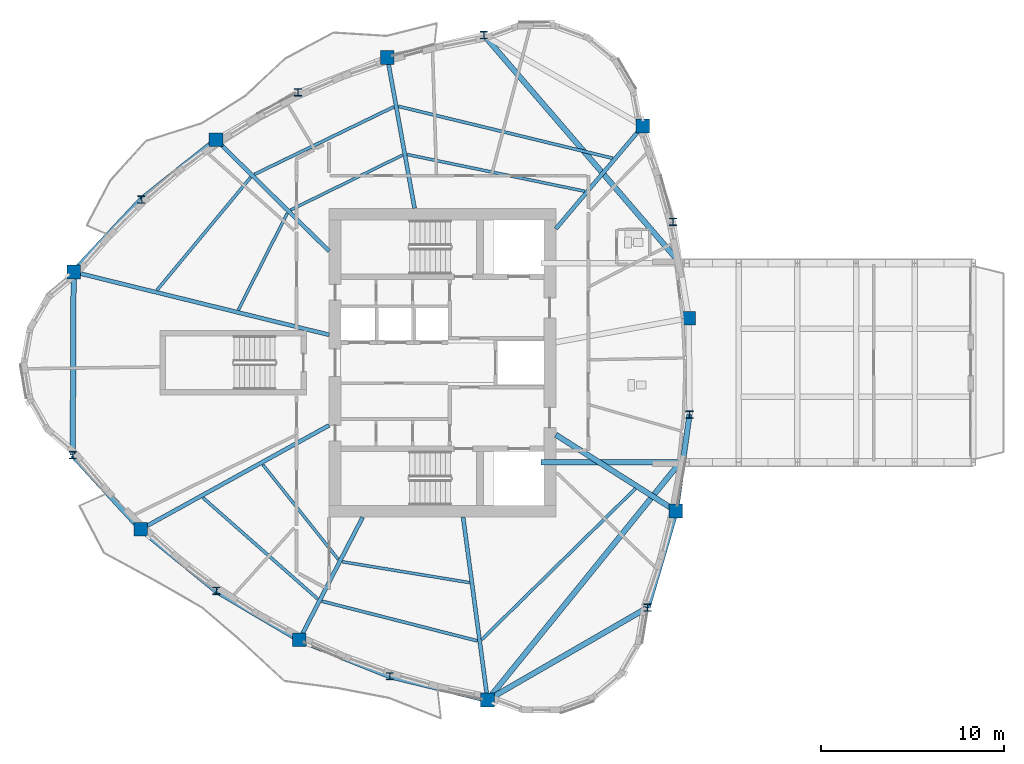
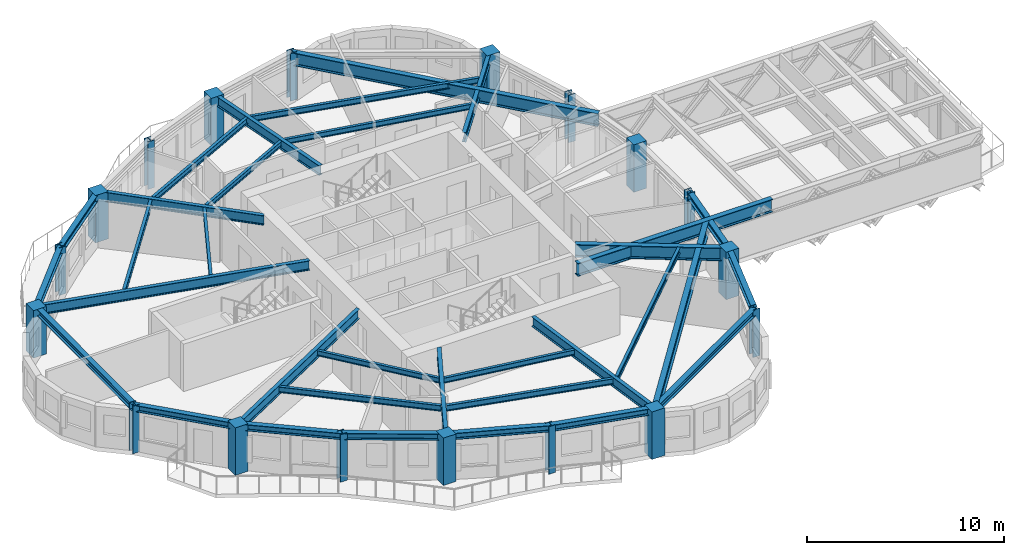
# One storey, part 1 of 13: 33 beams, 18 columns.
"""IFC4 building model written with IfcOpenShell, lengths in metres."""

from ifc_helpers import new_model, si_unit, direction, frame, origin, origin_2d, place, context, subcontext, project, spatial, rectangle, i_section, extrude, source, transform, mapped, material, material_profile, profile_set, type_object, element, save


model = new_model("IFC4")

# Units and contexts
model_context = context("Model", 3, precision=1e-05, world=origin(), true_north=direction((0.0, 1.0)))
body_context = subcontext(model_context, "Body", "Model", "MODEL_VIEW")
ifc_project = project(units=[si_unit("LENGTHUNIT", "METRE"), si_unit("AREAUNIT", "SQUARE_METRE"), si_unit("VOLUMEUNIT", "CUBIC_METRE"), si_unit("PLANEANGLEUNIT", "RADIAN"), si_unit("MASSUNIT", "GRAM", prefix="KILO")], contexts=[model_context])

# Site, building, storey
site_placement = place(None, origin())
site = spatial("IfcSite", under=ifc_project, at=site_placement, CompositionType="ELEMENT")
building_placement = place(site_placement, origin())
building = spatial("IfcBuilding", under=site, at=building_placement, Name="Qafzar Sky-Pleat Residences", CompositionType="ELEMENT")
storey_placement = place(building_placement, frame((0.0, 0.0, 155.39990234375)))
storey = spatial("IfcBuildingStorey", under=building, at=storey_placement, Name="L46", CompositionType="ELEMENT", Elevation=155.39990234375)

# Columns
ifc_material_1 = material(Name="Concrete C60/75", Category="concrete")
ifc_material_profile_1 = material_profile(ifc_material_1, rectangle(XDim=0.75, YDim=0.75, at=origin_2d()), Name="RC 750x750")
ifc_profile_set_1 = profile_set([ifc_material_profile_1], Name="Concrete C60/75")
column_type_1 = type_object("IfcColumnType", Name="COL-RC-750", PredefinedType="COLUMN", material=ifc_profile_set_1)
shared_shape_1 = source(origin(), body_context, "Body", "SweptSolid", [
    extrude(rectangle(XDim=0.75, YDim=0.75, at=origin_2d()), origin(), (0.0, 0.0, 1.0), 2.93505859375),
])
for number, where, z_axis, x_axis, name in (
    (1, (10.173583984375, 30.96728515625, 0.0), (0.0, 0.0, 1.0), (1.0, 0.0, 0.0), "L46 Perimeter Mega Column 1"),
    (2, (13.849365234375, 16.890869140625, 0.0), (0.0, 0.0, 1.0), (1.0, 0.0, 0.0), "L46 Perimeter Mega Column 3"),
    (3, (22.51904296875, 10.843017578125, 0.0), (0.0, 0.0, 1.0), (1.0, 0.0, 0.0), "L46 Perimeter Mega Column 5"),
    (4, (32.817626953125, 7.55419921875, 0.0), (0.0, 0.0, 1.0), (1.0, 0.0, 0.0), "L46 Perimeter Mega Column 7"),
    (5, (43.11669921875, 17.890380859375, 0.0), (0.0, 0.0, 1.0), (1.0, 0.0, 0.0), "L46 Perimeter Mega Column 9"),
    (6, (43.81591796875, 28.43798828125, 0.0), (0.0, 0.0, 1.0), (1.0, 0.0, 0.0), "L46 Perimeter Mega Column 11"),
    (7, (41.31103515625, 38.954833984375, 0.0), (0.0, 0.0, 1.0), (1.0, 0.0, 0.0), "L46 Perimeter Mega Column 13"),
    (8, (27.336181640625, 42.695068359375, 0.0), (0.0, 0.0, 1.0), (1.0, 0.0, 0.0), "L46 Perimeter Mega Column 15"),
    (9, (17.96728515625, 38.1953125, 0.0), (0.0, 0.0, 1.0), (1.0, 0.0, 0.0), "L46 Perimeter Mega Column 17"),
):
    element("IfcColumn", number, at=place(storey_placement, frame(where, z_axis=z_axis, x_axis=x_axis)), inside=storey, type_object=column_type_1, Name=name, PredefinedType="COLUMN", context=body_context, shape_type="MappedRepresentation", body=[
        mapped(shared_shape_1, transform((0.0, 0.0, 0.0), x_axis=(1.0, 0.0, 0.0), y_axis=(0.0, 1.0, 0.0), z_axis=(0.0, 0.0, 1.0), scale=1.0)),
    ])
ifc_material_2 = material(Name="Steel S355", Category="steel")
ifc_material_profile_2 = material_profile(ifc_material_2, i_section(OverallWidth=0.40087890625, OverallDepth=0.39892578125, WebThickness=0.02294921875, FlangeThickness=0.035888671875, FilletRadius=0.014892578125, at=origin_2d()), Name="HD 400x314")
ifc_profile_set_2 = profile_set([ifc_material_profile_2], Name="Steel S355")
column_type_2 = type_object("IfcColumnType", Name="COL-STL-HD314", PredefinedType="PILASTER", material=ifc_profile_set_2)
shared_shape_2 = source(origin(), body_context, "Body", "SweptSolid", [
    extrude(i_section(OverallWidth=0.40087890625, OverallDepth=0.39892578125, WebThickness=0.02294921875, FlangeThickness=0.035888671875, FilletRadius=0.014892578125, at=origin_2d()), origin(), (0.0, 0.0, 1.0), 2.93505859375),
])
for number, where, z_axis, x_axis, name in (
    (10, (10.125244140625, 20.94970703125, 0.0), (0.0, 0.0, 1.0), (1.0, 0.0, 0.0), "L46 Perimeter Mega Column 2"),
    (11, (17.98046875, 13.52197265625, 0.0), (0.0, 0.0, 1.0), (1.0, 0.0, 0.0), "L46 Perimeter Mega Column 4"),
    (12, (27.464599609375, 8.853759765625, 0.0), (0.0, 0.0, 1.0), (1.0, 0.0, 0.0), "L46 Perimeter Mega Column 6"),
    (13, (41.565673828125, 12.60498046875, 0.0), (0.0, 0.0, 1.0), (1.0, 0.0, 0.0), "L46 Perimeter Mega Column 8"),
    (14, (43.866943359375, 23.168212890625, 0.0), (0.0, 0.0, 1.0), (1.0, 0.0, 0.0), "L46 Perimeter Mega Column 10"),
    (15, (42.964111328125, 33.7001953125, 0.0), (0.0, 0.0, 1.0), (1.0, 0.0, 0.0), "L46 Perimeter Mega Column 12"),
    (16, (32.611328125, 43.921630859375, 0.0), (0.0, 0.0, 1.0), (1.0, 0.0, 0.0), "L46 Perimeter Mega Column 14"),
    (17, (22.454833984375, 40.786376953125, 0.0), (0.0, 0.0, 1.0), (1.0, 0.0, 0.0), "L46 Perimeter Mega Column 16"),
    (18, (13.87353515625, 34.92236328125, 0.0), (0.0, 0.0, 1.0), (1.0, 0.0, 0.0), "L46 Perimeter Mega Column 18"),
):
    element("IfcColumn", number, at=place(storey_placement, frame(where, z_axis=z_axis, x_axis=x_axis)), inside=storey, type_object=column_type_2, Name=name, PredefinedType="PILASTER", context=body_context, shape_type="MappedRepresentation", body=[
        mapped(shared_shape_2, transform((0.0, 0.0, 0.0), x_axis=(1.0, 0.0, 0.0), y_axis=(0.0, 1.0, 0.0), z_axis=(0.0, 0.0, 1.0), scale=1.0)),
    ])

# Beams
ifc_material_profile_3 = material_profile(ifc_material_2, i_section(OverallWidth=0.300048828125, OverallDepth=0.39990234375, WebThickness=0.013427734375, FlangeThickness=0.02392578125, FilletRadius=0.027099609375, at=origin_2d()), Name="HEB 400")
ifc_profile_set_3 = profile_set([ifc_material_profile_3], Name="Steel S355")
beam_type_1 = type_object("IfcBeamType", Name="BM-SPAN-HEB400", PredefinedType="SPANDREL", material=ifc_profile_set_3)
shared_shape_3 = source(origin(), body_context, "Body", "SweptSolid", [
    extrude(i_section(OverallWidth=0.300048828125, OverallDepth=0.39990234375, WebThickness=0.013427734375, FlangeThickness=0.02392578125, FilletRadius=0.027099609375, at=origin_2d()), origin(), (0.0, 0.0, 1.0), 10.017578125),
])
beam_1_placement = place(storey_placement, frame((10.173583984375, 30.96728515625, 2.733154296875), z_axis=(-0.004825445866, -0.999988357468, 0.0), x_axis=(0.999988357468, -0.004825445866, 0.0)))
element("IfcBeam", 19, at=beam_1_placement, inside=storey, type_object=beam_type_1, Name="L46 Perimeter Spandrel Beam 1", PredefinedType="SPANDREL", context=body_context, shape_type="MappedRepresentation", body=[
    mapped(shared_shape_3, transform((0.0, 0.0, 0.0), x_axis=(1.0, 0.0, 0.0), y_axis=(0.0, 1.0, 0.0), z_axis=(0.0, 0.0, 1.0), scale=1.0)),
])
shared_shape_4 = source(origin(), body_context, "Body", "SweptSolid", [
    extrude(i_section(OverallWidth=0.300048828125, OverallDepth=0.39990234375, WebThickness=0.013427734375, FlangeThickness=0.02392578125, FilletRadius=0.027099609375, at=origin_2d()), origin(), (0.0, 0.0, 1.0), 10.101318359375),
])
beam_2_placement = place(storey_placement, frame((32.817626953125, 7.55419921875, 2.733154296875), z_axis=(0.86602137294, 0.500006981563, 0.0), x_axis=(-0.500006981563, 0.86602137294, 0.0)))
element("IfcBeam", 20, at=beam_2_placement, inside=storey, type_object=beam_type_1, Name="L46 Perimeter Spandrel Beam 7", PredefinedType="SPANDREL", context=body_context, shape_type="MappedRepresentation", body=[
    mapped(shared_shape_4, transform((0.0, 0.0, 0.0), x_axis=(1.0, 0.0, 0.0), y_axis=(0.0, 1.0, 0.0), z_axis=(0.0, 0.0, 1.0), scale=1.0)),
])
shared_shape_5 = source(origin(), body_context, "Body", "SweptSolid", [
    extrude(i_section(OverallWidth=0.300048828125, OverallDepth=0.39990234375, WebThickness=0.013427734375, FlangeThickness=0.02392578125, FilletRadius=0.027099609375, at=origin_2d()), origin(), (0.0, 0.0, 1.0), 5.508544921875),
])
for number, where, z_axis, x_axis, name in (
    (21, (10.125244140625, 20.94970703125, 2.733154296875), (0.676071762207, -0.73683578384, 0.0), (0.73683578384, 0.676071762207, 0.0), "L46 Perimeter Spandrel Beam 2"),
    (22, (27.464599609375, 8.853759765625, 2.733154296875), (0.971772867316, -0.235918406126, 0.0), (0.235918406126, 0.971772867316, 0.0), "L46 Perimeter Spandrel Beam 6"),
):
    element("IfcBeam", number, at=place(storey_placement, frame(where, z_axis=z_axis, x_axis=x_axis)), inside=storey, type_object=beam_type_1, Name=name, PredefinedType="SPANDREL", context=body_context, shape_type="MappedRepresentation", body=[
        mapped(shared_shape_5, transform((0.0, 0.0, 0.0), x_axis=(1.0, 0.0, 0.0), y_axis=(0.0, 1.0, 0.0), z_axis=(0.0, 0.0, 1.0), scale=1.0)),
    ])
shared_shape_6 = source(origin(), body_context, "Body", "SweptSolid", [
    extrude(i_section(OverallWidth=0.300048828125, OverallDepth=0.39990234375, WebThickness=0.013427734375, FlangeThickness=0.02392578125, FilletRadius=0.027099609375, at=origin_2d()), origin(), (0.0, 0.0, 1.0), 5.33056640625),
])
for number, where, z_axis, x_axis, name in (
    (23, (13.849365234375, 16.890869140625, 2.733154296875), (0.774976584749, -0.631989946986, 0.0), (0.631989946986, 0.774976584749, 0.0), "L46 Perimeter Spandrel Beam 3"),
    (24, (22.51904296875, 10.843017578125, 2.733154296875), (0.92776113482, -0.373174592808, 0.0), (0.373174592808, 0.92776113482, 0.0), "L46 Perimeter Spandrel Beam 5"),
):
    element("IfcBeam", number, at=place(storey_placement, frame(where, z_axis=z_axis, x_axis=x_axis)), inside=storey, type_object=beam_type_1, Name=name, PredefinedType="SPANDREL", context=body_context, shape_type="MappedRepresentation", body=[
        mapped(shared_shape_6, transform((0.0, 0.0, 0.0), x_axis=(1.0, 0.0, 0.0), y_axis=(0.0, 1.0, 0.0), z_axis=(0.0, 0.0, 1.0), scale=1.0)),
    ])
shared_shape_7 = source(origin(), body_context, "Body", "SweptSolid", [
    extrude(i_section(OverallWidth=0.300048828125, OverallDepth=0.39990234375, WebThickness=0.013427734375, FlangeThickness=0.02392578125, FilletRadius=0.027099609375, at=origin_2d()), origin(), (0.0, 0.0, 1.0), 5.270263671875),
])
beam_3_placement = place(storey_placement, frame((17.98046875, 13.52197265625, 2.733154296875), z_axis=(0.861169898552, -0.508317229522, 0.0), x_axis=(0.508317229522, 0.861169898552, 0.0)))
element("IfcBeam", 25, at=beam_3_placement, inside=storey, type_object=beam_type_1, Name="L46 Perimeter Spandrel Beam 4", PredefinedType="SPANDREL", context=body_context, shape_type="MappedRepresentation", body=[
    mapped(shared_shape_7, transform((0.0, 0.0, 0.0), x_axis=(1.0, 0.0, 0.0), y_axis=(0.0, 1.0, 0.0), z_axis=(0.0, 0.0, 1.0), scale=1.0)),
])
shared_shape_8 = source(origin(), body_context, "Body", "SweptSolid", [
    extrude(i_section(OverallWidth=0.300048828125, OverallDepth=0.39990234375, WebThickness=0.013427734375, FlangeThickness=0.02392578125, FilletRadius=0.027099609375, at=origin_2d()), origin(), (0.0, 0.0, 1.0), 5.50830078125),
])
beam_4_placement = place(storey_placement, frame((41.565673828125, 12.60498046875, 2.733154296875), z_axis=(0.281580762913, 0.959537531292, 0.0), x_axis=(-0.959537531292, 0.281580762913, 0.0)))
element("IfcBeam", 26, at=beam_4_placement, inside=storey, type_object=beam_type_1, Name="L46 Perimeter Spandrel Beam 8", PredefinedType="SPANDREL", context=body_context, shape_type="MappedRepresentation", body=[
    mapped(shared_shape_8, transform((0.0, 0.0, 0.0), x_axis=(1.0, 0.0, 0.0), y_axis=(0.0, 1.0, 0.0), z_axis=(0.0, 0.0, 1.0), scale=1.0)),
])
shared_shape_9 = source(origin(), body_context, "Body", "SweptSolid", [
    extrude(i_section(OverallWidth=0.300048828125, OverallDepth=0.39990234375, WebThickness=0.013427734375, FlangeThickness=0.02392578125, FilletRadius=0.027099609375, at=origin_2d()), origin(), (0.0, 0.0, 1.0), 5.330810546875),
])
beam_5_placement = place(storey_placement, frame((43.11669921875, 17.890380859375, 2.733154296875), z_axis=(0.140735277871, 0.990047262287, 0.0), x_axis=(-0.990047262287, 0.140735277871, 0.0)))
element("IfcBeam", 27, at=beam_5_placement, inside=storey, type_object=beam_type_1, Name="L46 Perimeter Spandrel Beam 9", PredefinedType="SPANDREL", context=body_context, shape_type="MappedRepresentation", body=[
    mapped(shared_shape_9, transform((0.0, 0.0, 0.0), x_axis=(1.0, 0.0, 0.0), y_axis=(0.0, 1.0, 0.0), z_axis=(0.0, 0.0, 1.0), scale=1.0)),
])
shared_shape_10 = source(origin(), body_context, "Body", "SweptSolid", [
    extrude(i_section(OverallWidth=0.300048828125, OverallDepth=0.39990234375, WebThickness=0.013427734375, FlangeThickness=0.02392578125, FilletRadius=0.027099609375, at=origin_2d()), origin(), (0.0, 0.0, 1.0), 5.2412109375),
])
beam_6_placement = place(storey_placement, frame((17.96728515625, 38.1953125, 2.733154296875), z_axis=(-0.781059638901, -0.624456436015, 0.0), x_axis=(0.624456436015, -0.781059638901, 0.0)))
element("IfcBeam", 28, at=beam_6_placement, inside=storey, type_object=beam_type_1, Name="L46 Perimeter Spandrel Beam 17", PredefinedType="SPANDREL", context=body_context, shape_type="MappedRepresentation", body=[
    mapped(shared_shape_10, transform((0.0, 0.0, 0.0), x_axis=(1.0, 0.0, 0.0), y_axis=(0.0, 1.0, 0.0), z_axis=(0.0, 0.0, 1.0), scale=1.0)),
])
shared_shape_11 = source(origin(), body_context, "Body", "SweptSolid", [
    extrude(i_section(OverallWidth=0.300048828125, OverallDepth=0.39990234375, WebThickness=0.013427734375, FlangeThickness=0.02392578125, FilletRadius=0.027099609375, at=origin_2d()), origin(), (0.0, 0.0, 1.0), 5.416015625),
])
beam_7_placement = place(storey_placement, frame((13.87353515625, 34.92236328125, 2.733154296875), z_axis=(-0.683161006197, -0.730267786235, 0.0), x_axis=(0.730267786235, -0.683161006197, 0.0)))
element("IfcBeam", 29, at=beam_7_placement, inside=storey, type_object=beam_type_1, Name="L46 Perimeter Spandrel Beam 18", PredefinedType="SPANDREL", context=body_context, shape_type="MappedRepresentation", body=[
    mapped(shared_shape_11, transform((0.0, 0.0, 0.0), x_axis=(1.0, 0.0, 0.0), y_axis=(0.0, 1.0, 0.0), z_axis=(0.0, 0.0, 1.0), scale=1.0)),
])
ifc_material_profile_4 = material_profile(ifc_material_2, i_section(OverallWidth=0.219970703125, OverallDepth=0.60009765625, WebThickness=0.011962890625, FlangeThickness=0.01904296875, FilletRadius=0.02392578125, at=origin_2d()), Name="IPE 600")
ifc_profile_set_4 = profile_set([ifc_material_profile_4], Name="Steel S355")
beam_type_2 = type_object("IfcBeamType", Name="BM-SEC-IPE600", PredefinedType="BEAM", material=ifc_profile_set_4)
shared_shape_12 = source(origin(), body_context, "Body", "SweptSolid", [
    extrude(i_section(OverallWidth=0.219970703125, OverallDepth=0.60009765625, WebThickness=0.011962890625, FlangeThickness=0.01904296875, FilletRadius=0.02392578125, at=origin_2d()), origin(), (0.0, 0.0, 1.0), 14.3935546875),
])
beam_8_placement = place(storey_placement, frame((10.173583984375, 30.96728515625, 2.633056640625), z_axis=(0.971005309059, -0.239057921391, 0.0), x_axis=(0.239057921391, 0.971005309059, 0.0)))
element("IfcBeam", 30, at=beam_8_placement, inside=storey, type_object=beam_type_2, Name="L46 Radial Floor Girder 1", PredefinedType="BEAM", context=body_context, shape_type="MappedRepresentation", body=[
    mapped(shared_shape_12, transform((0.0, 0.0, 0.0), x_axis=(1.0, 0.0, 0.0), y_axis=(0.0, 1.0, 0.0), z_axis=(0.0, 0.0, 1.0), scale=1.0)),
])
shared_shape_13 = source(origin(), body_context, "Body", "SweptSolid", [
    extrude(i_section(OverallWidth=0.219970703125, OverallDepth=0.60009765625, WebThickness=0.011962890625, FlangeThickness=0.01904296875, FilletRadius=0.02392578125, at=origin_2d()), origin(), (0.0, 0.0, 1.0), 11.765869140625),
])
beam_9_placement = place(storey_placement, frame((13.849365234375, 16.890869140625, 2.633056640625), z_axis=(0.875452967173, 0.483303323254, 0.0), x_axis=(-0.483303323254, 0.875452967173, 0.0)))
element("IfcBeam", 31, at=beam_9_placement, inside=storey, type_object=beam_type_2, Name="L46 Radial Floor Girder 3", PredefinedType="BEAM", context=body_context, shape_type="MappedRepresentation", body=[
    mapped(shared_shape_13, transform((0.0, 0.0, 0.0), x_axis=(1.0, 0.0, 0.0), y_axis=(0.0, 1.0, 0.0), z_axis=(0.0, 0.0, 1.0), scale=1.0)),
])
shared_shape_14 = source(origin(), body_context, "Body", "SweptSolid", [
    extrude(i_section(OverallWidth=0.219970703125, OverallDepth=0.60009765625, WebThickness=0.011962890625, FlangeThickness=0.01904296875, FilletRadius=0.02392578125, at=origin_2d()), origin(), (0.0, 0.0, 1.0), 7.54931640625),
])
beam_10_placement = place(storey_placement, frame((22.51904296875, 10.843017578125, 2.633056640625), z_axis=(0.459023455259, 0.888424148435, 0.0), x_axis=(-0.888424148435, 0.459023455259, 0.0)))
element("IfcBeam", 32, at=beam_10_placement, inside=storey, type_object=beam_type_2, Name="L46 Radial Floor Girder 5", PredefinedType="BEAM", context=body_context, shape_type="MappedRepresentation", body=[
    mapped(shared_shape_14, transform((0.0, 0.0, 0.0), x_axis=(1.0, 0.0, 0.0), y_axis=(0.0, 1.0, 0.0), z_axis=(0.0, 0.0, 1.0), scale=1.0)),
])
shared_shape_15 = source(origin(), body_context, "Body", "SweptSolid", [
    extrude(i_section(OverallWidth=0.219970703125, OverallDepth=0.60009765625, WebThickness=0.011962890625, FlangeThickness=0.01904296875, FilletRadius=0.02392578125, at=origin_2d()), origin(), (0.0, 0.0, 1.0), 10.0849609375),
])
beam_11_placement = place(storey_placement, frame((32.817626953125, 7.55419921875, 2.633056640625), z_axis=(-0.132590264736, 0.991170934651, 0.0), x_axis=(-0.991170934651, -0.132590264736, 0.0)))
element("IfcBeam", 33, at=beam_11_placement, inside=storey, type_object=beam_type_2, Name="L46 Radial Floor Girder 7", PredefinedType="BEAM", context=body_context, shape_type="MappedRepresentation", body=[
    mapped(shared_shape_15, transform((0.0, 0.0, 0.0), x_axis=(1.0, 0.0, 0.0), y_axis=(0.0, 1.0, 0.0), z_axis=(0.0, 0.0, 1.0), scale=1.0)),
])
ifc_material_3 = material(Name="Steel S460", Category="steel")
ifc_material_profile_5 = material_profile(ifc_material_3, i_section(OverallWidth=0.300048828125, OverallDepth=0.800048828125, WebThickness=0.017578125, FlangeThickness=0.032958984375, FilletRadius=0.030029296875, at=origin_2d()), Name="HEB 800")
ifc_profile_set_5 = profile_set([ifc_material_profile_5], Name="Steel S460")
beam_type_3 = type_object("IfcBeamType", Name="BM-CHORD-HEB800", PredefinedType="BEAM", material=ifc_profile_set_5)
shared_shape_16 = source(origin(), body_context, "Body", "SweptSolid", [
    extrude(i_section(OverallWidth=0.300048828125, OverallDepth=0.800048828125, WebThickness=0.017578125, FlangeThickness=0.032958984375, FilletRadius=0.030029296875, at=origin_2d()), origin(), (0.0, 0.0, 1.0), 7.779541015625),
])
beam_12_placement = place(storey_placement, frame((43.11669921875, 17.890380859375, 2.533203125), z_axis=(-0.844091524376, 0.536199122039, 0.0), x_axis=(-0.536199122039, -0.844091524376, 0.0)))
element("IfcBeam", 34, at=beam_12_placement, inside=storey, type_object=beam_type_3, Name="L46 Radial Floor Girder 9", PredefinedType="BEAM", context=body_context, shape_type="MappedRepresentation", body=[
    mapped(shared_shape_16, transform((0.0, 0.0, 0.0), x_axis=(1.0, 0.0, 0.0), y_axis=(0.0, 1.0, 0.0), z_axis=(0.0, 0.0, 1.0), scale=1.0)),
])
shared_shape_17 = source(origin(), body_context, "Body", "SweptSolid", [
    extrude(i_section(OverallWidth=0.219970703125, OverallDepth=0.60009765625, WebThickness=0.011962890625, FlangeThickness=0.01904296875, FilletRadius=0.02392578125, at=origin_2d()), origin(), (0.0, 0.0, 1.0), 7.370849609375),
])
beam_13_placement = place(storey_placement, frame((41.31103515625, 38.954833984375, 2.633056640625), z_axis=(-0.645919969231, -0.763405130549, 0.0), x_axis=(0.763405130549, -0.645919969231, 0.0)))
element("IfcBeam", 35, at=beam_13_placement, inside=storey, type_object=beam_type_2, Name="L46 Radial Floor Girder 13", PredefinedType="BEAM", context=body_context, shape_type="MappedRepresentation", body=[
    mapped(shared_shape_17, transform((0.0, 0.0, 0.0), x_axis=(1.0, 0.0, 0.0), y_axis=(0.0, 1.0, 0.0), z_axis=(0.0, 0.0, 1.0), scale=1.0)),
])
shared_shape_18 = source(origin(), body_context, "Body", "SweptSolid", [
    extrude(i_section(OverallWidth=0.219970703125, OverallDepth=0.60009765625, WebThickness=0.011962890625, FlangeThickness=0.01904296875, FilletRadius=0.02392578125, at=origin_2d()), origin(), (0.0, 0.0, 1.0), 8.37841796875),
])
beam_14_placement = place(storey_placement, frame((27.336181640625, 42.695068359375, 2.633056640625), z_axis=(0.177633930077, -0.984096634933, 0.0), x_axis=(0.984096634933, 0.177633930077, 0.0)))
element("IfcBeam", 36, at=beam_14_placement, inside=storey, type_object=beam_type_2, Name="L46 Radial Floor Girder 15", PredefinedType="BEAM", context=body_context, shape_type="MappedRepresentation", body=[
    mapped(shared_shape_18, transform((0.0, 0.0, 0.0), x_axis=(1.0, 0.0, 0.0), y_axis=(0.0, 1.0, 0.0), z_axis=(0.0, 0.0, 1.0), scale=1.0)),
])
shared_shape_19 = source(origin(), body_context, "Body", "SweptSolid", [
    extrude(i_section(OverallWidth=0.219970703125, OverallDepth=0.60009765625, WebThickness=0.011962890625, FlangeThickness=0.01904296875, FilletRadius=0.02392578125, at=origin_2d()), origin(), (0.0, 0.0, 1.0), 8.677734375),
])
beam_15_placement = place(storey_placement, frame((17.96728515625, 38.1953125, 2.633056640625), z_axis=(0.712473981053, -0.701698529515, 0.0), x_axis=(0.701698529515, 0.712473981053, 0.0)))
element("IfcBeam", 37, at=beam_15_placement, inside=storey, type_object=beam_type_2, Name="L46 Radial Floor Girder 17", PredefinedType="BEAM", context=body_context, shape_type="MappedRepresentation", body=[
    mapped(shared_shape_19, transform((0.0, 0.0, 0.0), x_axis=(1.0, 0.0, 0.0), y_axis=(0.0, 1.0, 0.0), z_axis=(0.0, 0.0, 1.0), scale=1.0)),
])
ifc_material_profile_6 = material_profile(ifc_material_2, i_section(OverallWidth=0.169921875, OverallDepth=0.360107421875, WebThickness=0.008056640625, FlangeThickness=0.0126953125, FilletRadius=0.01806640625, at=origin_2d()), Name="IPE 360")
ifc_profile_set_6 = profile_set([ifc_material_profile_6], Name="Steel S355")
beam_type_4 = type_object("IfcBeamType", Name="BM-JST-IPE360", PredefinedType="JOIST", material=ifc_profile_set_6)
shared_shape_20 = source(origin(), body_context, "Body", "SweptSolid", [
    extrude(i_section(OverallWidth=0.169921875, OverallDepth=0.360107421875, WebThickness=0.008056640625, FlangeThickness=0.0126953125, FilletRadius=0.01806640625, at=origin_2d()), origin(), (0.0, 0.0, 1.0), 8.3759765625),
])
beam_16_placement = place(storey_placement, frame((17.24658203125, 18.62109375, 2.753173828125), z_axis=(0.749762146245, -0.661707430862, 0.0), x_axis=(0.661707430862, 0.749762146245, 0.0)))
element("IfcBeam", 38, at=beam_16_placement, inside=storey, type_object=beam_type_4, Name="L46 Outer Secondary Floor Joist 2", PredefinedType="JOIST", context=body_context, shape_type="MappedRepresentation", body=[
    mapped(shared_shape_20, transform((0.0, 0.0, 0.0), x_axis=(1.0, 0.0, 0.0), y_axis=(0.0, 1.0, 0.0), z_axis=(0.0, 0.0, 1.0), scale=1.0)),
])
shared_shape_21 = source(origin(), body_context, "Body", "SweptSolid", [
    extrude(i_section(OverallWidth=0.169921875, OverallDepth=0.360107421875, WebThickness=0.008056640625, FlangeThickness=0.0126953125, FilletRadius=0.01806640625, at=origin_2d()), origin(), (0.0, 0.0, 1.0), 8.7724609375),
])
beam_17_placement = place(storey_placement, frame((23.7587890625, 12.955810546875, 2.753173828125), z_axis=(0.968938996668, -0.247299859961, 0.0), x_axis=(0.247299859961, 0.968938996668, 0.0)))
element("IfcBeam", 39, at=beam_17_placement, inside=storey, type_object=beam_type_4, Name="L46 Outer Secondary Floor Joist 3", PredefinedType="JOIST", context=body_context, shape_type="MappedRepresentation", body=[
    mapped(shared_shape_21, transform((0.0, 0.0, 0.0), x_axis=(1.0, 0.0, 0.0), y_axis=(0.0, 1.0, 0.0), z_axis=(0.0, 0.0, 1.0), scale=1.0)),
])
shared_shape_22 = source(origin(), body_context, "Body", "SweptSolid", [
    extrude(i_section(OverallWidth=0.169921875, OverallDepth=0.360107421875, WebThickness=0.008056640625, FlangeThickness=0.0126953125, FilletRadius=0.01806640625, at=origin_2d()), origin(), (0.0, 0.0, 1.0), 11.82080078125),
])
beam_18_placement = place(storey_placement, frame((32.486083984375, 10.847412109375, 2.753173828125), z_axis=(0.713419028296, 0.700737675642, 0.0), x_axis=(-0.700737675642, 0.713419028296, 0.0)))
element("IfcBeam", 40, at=beam_18_placement, inside=storey, type_object=beam_type_4, Name="L46 Outer Secondary Floor Joist 4", PredefinedType="JOIST", context=body_context, shape_type="MappedRepresentation", body=[
    mapped(shared_shape_22, transform((0.0, 0.0, 0.0), x_axis=(1.0, 0.0, 0.0), y_axis=(0.0, 1.0, 0.0), z_axis=(0.0, 0.0, 1.0), scale=1.0)),
])
shared_shape_23 = source(origin(), body_context, "Body", "SweptSolid", [
    extrude(i_section(OverallWidth=0.169921875, OverallDepth=0.360107421875, WebThickness=0.008056640625, FlangeThickness=0.0126953125, FilletRadius=0.01806640625, at=origin_2d()), origin(), (0.0, 0.0, 1.0), 12.0517578125),
])
beam_19_placement = place(storey_placement, frame((39.65625, 37.18603515625, 2.753173828125), z_axis=(-0.971860786955, 0.235555961036, 0.0), x_axis=(-0.235555961036, -0.971860786955, 0.0)))
element("IfcBeam", 41, at=beam_19_placement, inside=storey, type_object=beam_type_4, Name="L46 Outer Secondary Floor Joist 7", PredefinedType="JOIST", context=body_context, shape_type="MappedRepresentation", body=[
    mapped(shared_shape_23, transform((0.0, 0.0, 0.0), x_axis=(1.0, 0.0, 0.0), y_axis=(0.0, 1.0, 0.0), z_axis=(0.0, 0.0, 1.0), scale=1.0)),
])
shared_shape_24 = source(origin(), body_context, "Body", "SweptSolid", [
    extrude(i_section(OverallWidth=0.169921875, OverallDepth=0.360107421875, WebThickness=0.008056640625, FlangeThickness=0.0126953125, FilletRadius=0.01806640625, at=origin_2d()), origin(), (0.0, 0.0, 1.0), 8.470458984375),
])
beam_20_placement = place(storey_placement, frame((27.69091796875, 39.997802734375, 2.753173828125), z_axis=(-0.900004998157, -0.435879574301, 0.0), x_axis=(0.435879574301, -0.900004998157, 0.0)))
element("IfcBeam", 42, at=beam_20_placement, inside=storey, type_object=beam_type_4, Name="L46 Outer Secondary Floor Joist 8", PredefinedType="JOIST", context=body_context, shape_type="MappedRepresentation", body=[
    mapped(shared_shape_24, transform((0.0, 0.0, 0.0), x_axis=(1.0, 0.0, 0.0), y_axis=(0.0, 1.0, 0.0), z_axis=(0.0, 0.0, 1.0), scale=1.0)),
])
shared_shape_25 = source(origin(), body_context, "Body", "SweptSolid", [
    extrude(i_section(OverallWidth=0.169921875, OverallDepth=0.360107421875, WebThickness=0.008056640625, FlangeThickness=0.0126953125, FilletRadius=0.01806640625, at=origin_2d()), origin(), (0.0, 0.0, 1.0), 8.0244140625),
])
beam_21_placement = place(storey_placement, frame((19.859619140625, 36.14306640625, 2.753173828125), z_axis=(-0.638944642155, -0.769252718072, 0.0), x_axis=(0.769252718072, -0.638944642155, 0.0)))
element("IfcBeam", 43, at=beam_21_placement, inside=storey, type_object=beam_type_4, Name="L46 Outer Secondary Floor Joist 9", PredefinedType="JOIST", context=body_context, shape_type="MappedRepresentation", body=[
    mapped(shared_shape_25, transform((0.0, 0.0, 0.0), x_axis=(1.0, 0.0, 0.0), y_axis=(0.0, 1.0, 0.0), z_axis=(0.0, 0.0, 1.0), scale=1.0)),
])
ifc_material_profile_7 = material_profile(ifc_material_2, i_section(OverallWidth=0.159912109375, OverallDepth=0.330078125, WebThickness=0.007568359375, FlangeThickness=0.011474609375, FilletRadius=0.01806640625, at=origin_2d()), Name="IPE 330")
ifc_profile_set_7 = profile_set([ifc_material_profile_7], Name="Steel S355")
beam_type_5 = type_object("IfcBeamType", Name="BM-JST-IPE330", PredefinedType="JOIST", material=ifc_profile_set_7)
shared_shape_26 = source(origin(), body_context, "Body", "SweptSolid", [
    extrude(i_section(OverallWidth=0.159912109375, OverallDepth=0.330078125, WebThickness=0.007568359375, FlangeThickness=0.011474609375, FilletRadius=0.01806640625, at=origin_2d()), origin(), (0.0, 0.0, 1.0), 6.62548828125),
])
beam_22_placement = place(storey_placement, frame((20.52587890625, 20.424560546875, 2.76806640625), z_axis=(0.622855370596, -0.782337003675, 0.0), x_axis=(0.782337003675, 0.622855370596, 0.0)))
element("IfcBeam", 44, at=beam_22_placement, inside=storey, type_object=beam_type_5, Name="L46 Inner Secondary Floor Joist 2", PredefinedType="JOIST", context=body_context, shape_type="MappedRepresentation", body=[
    mapped(shared_shape_26, transform((0.0, 0.0, 0.0), x_axis=(1.0, 0.0, 0.0), y_axis=(0.0, 1.0, 0.0), z_axis=(0.0, 0.0, 1.0), scale=1.0)),
])
shared_shape_27 = source(origin(), body_context, "Body", "SweptSolid", [
    extrude(i_section(OverallWidth=0.159912109375, OverallDepth=0.330078125, WebThickness=0.007568359375, FlangeThickness=0.011474609375, FilletRadius=0.01806640625, at=origin_2d()), origin(), (0.0, 0.0, 1.0), 7.05126953125),
])
beam_23_placement = place(storey_placement, frame((24.8701171875, 15.113525390625, 2.76806640625), z_axis=(0.986841253711, -0.161692114758, 0.0), x_axis=(0.161692114758, 0.986841253711, 0.0)))
element("IfcBeam", 45, at=beam_23_placement, inside=storey, type_object=beam_type_5, Name="L46 Inner Secondary Floor Joist 3", PredefinedType="JOIST", context=body_context, shape_type="MappedRepresentation", body=[
    mapped(shared_shape_27, transform((0.0, 0.0, 0.0), x_axis=(1.0, 0.0, 0.0), y_axis=(0.0, 1.0, 0.0), z_axis=(0.0, 0.0, 1.0), scale=1.0)),
])
shared_shape_28 = source(origin(), body_context, "Body", "SweptSolid", [
    extrude(i_section(OverallWidth=0.159912109375, OverallDepth=0.330078125, WebThickness=0.007568359375, FlangeThickness=0.011474609375, FilletRadius=0.01806640625, at=origin_2d()), origin(), (0.0, 0.0, 1.0), 9.916748046875),
])
beam_24_placement = place(storey_placement, frame((38.1318359375, 35.380859375, 2.76806640625), z_axis=(-0.979243404556, 0.202687825566, 0.0), x_axis=(-0.202687825566, -0.979243404556, 0.0)))
element("IfcBeam", 46, at=beam_24_placement, inside=storey, type_object=beam_type_5, Name="L46 Inner Secondary Floor Joist 7", PredefinedType="JOIST", context=body_context, shape_type="MappedRepresentation", body=[
    mapped(shared_shape_28, transform((0.0, 0.0, 0.0), x_axis=(1.0, 0.0, 0.0), y_axis=(0.0, 1.0, 0.0), z_axis=(0.0, 0.0, 1.0), scale=1.0)),
])
shared_shape_29 = source(origin(), body_context, "Body", "SweptSolid", [
    extrude(i_section(OverallWidth=0.159912109375, OverallDepth=0.330078125, WebThickness=0.007568359375, FlangeThickness=0.011474609375, FilletRadius=0.01806640625, at=origin_2d()), origin(), (0.0, 0.0, 1.0), 6.818115234375),
])
beam_25_placement = place(storey_placement, frame((28.16748046875, 37.35888671875, 2.76806640625), z_axis=(-0.897908790265, -0.440181558411, 0.0), x_axis=(0.440181558411, -0.897908790265, 0.0)))
element("IfcBeam", 47, at=beam_25_placement, inside=storey, type_object=beam_type_5, Name="L46 Inner Secondary Floor Joist 8", PredefinedType="JOIST", context=body_context, shape_type="MappedRepresentation", body=[
    mapped(shared_shape_29, transform((0.0, 0.0, 0.0), x_axis=(1.0, 0.0, 0.0), y_axis=(0.0, 1.0, 0.0), z_axis=(0.0, 0.0, 1.0), scale=1.0)),
])
shared_shape_30 = source(origin(), body_context, "Body", "SweptSolid", [
    extrude(i_section(OverallWidth=0.159912109375, OverallDepth=0.330078125, WebThickness=0.007568359375, FlangeThickness=0.011474609375, FilletRadius=0.01806640625, at=origin_2d()), origin(), (0.0, 0.0, 1.0), 5.93408203125),
])
beam_26_placement = place(storey_placement, frame((21.86328125, 34.177978515625, 2.76806640625), z_axis=(-0.452242393984, -0.891895070669, 0.0), x_axis=(0.891895070669, -0.452242393984, 0.0)))
element("IfcBeam", 48, at=beam_26_placement, inside=storey, type_object=beam_type_5, Name="L46 Inner Secondary Floor Joist 9", PredefinedType="JOIST", context=body_context, shape_type="MappedRepresentation", body=[
    mapped(shared_shape_30, transform((0.0, 0.0, 0.0), x_axis=(1.0, 0.0, 0.0), y_axis=(0.0, 1.0, 0.0), z_axis=(0.0, 0.0, 1.0), scale=1.0)),
])
shared_shape_31 = source(origin(), body_context, "Body", "SweptSolid", [
    extrude(i_section(OverallWidth=0.300048828125, OverallDepth=0.800048828125, WebThickness=0.017578125, FlangeThickness=0.032958984375, FilletRadius=0.030029296875, at=origin_2d()), origin(), (0.0, 0.0, 1.0), 11.405029296875),
])
beam_27_placement = place(storey_placement, frame((35.75, 20.550048828125, 2.533203125), z_axis=(1.0, 0.0, 0.0), x_axis=(0.0, 1.0, 0.0)))
element("IfcBeam", 49, at=beam_27_placement, inside=storey, type_object=beam_type_3, Name="L46 SB-4 Truss Chord R1", PredefinedType="BEAM", context=body_context, shape_type="MappedRepresentation", body=[
    mapped(shared_shape_31, transform((0.0, 0.0, 0.0), x_axis=(1.0, 0.0, 0.0), y_axis=(0.0, 1.0, 0.0), z_axis=(0.0, 0.0, 1.0), scale=1.0)),
])
shared_shape_32 = source(origin(), body_context, "Body", "SweptSolid", [
    extrude(i_section(OverallWidth=0.300048828125, OverallDepth=0.800048828125, WebThickness=0.017578125, FlangeThickness=0.032958984375, FilletRadius=0.030029296875, at=origin_2d()), origin(), (0.0, 0.0, 1.0), 16.4580078125),
])
beam_28_placement = place(storey_placement, frame((32.611328125, 43.921630859375, 2.533203125), z_axis=(0.652497580975, -0.757790806768, 0.0), x_axis=(0.757790806768, 0.652497580975, 0.0)))
element("IfcBeam", 50, at=beam_28_placement, inside=storey, type_object=beam_type_3, Name="L46 SB-4 Wing-Belt Top Chord L", PredefinedType="BEAM", context=body_context, shape_type="MappedRepresentation", body=[
    mapped(shared_shape_32, transform((0.0, 0.0, 0.0), x_axis=(1.0, 0.0, 0.0), y_axis=(0.0, 1.0, 0.0), z_axis=(0.0, 0.0, 1.0), scale=1.0)),
])
shared_shape_33 = source(origin(), body_context, "Body", "SweptSolid", [
    extrude(i_section(OverallWidth=0.300048828125, OverallDepth=0.800048828125, WebThickness=0.017578125, FlangeThickness=0.032958984375, FilletRadius=0.030029296875, at=origin_2d()), origin(), (0.0, 0.0, 1.0), 16.72802734375),
])
beam_29_placement = place(storey_placement, frame((32.817626953125, 7.55419921875, 2.533203125), z_axis=(0.62963225446, 0.776893315806, 0.0), x_axis=(-0.776893315806, 0.62963225446, 0.0)))
element("IfcBeam", 51, at=beam_29_placement, inside=storey, type_object=beam_type_3, Name="L46 SB-4 Wing-Belt Top Chord R", PredefinedType="BEAM", context=body_context, shape_type="MappedRepresentation", body=[
    mapped(shared_shape_33, transform((0.0, 0.0, 0.0), x_axis=(1.0, 0.0, 0.0), y_axis=(0.0, 1.0, 0.0), z_axis=(0.0, 0.0, 1.0), scale=1.0)),
])

save(model, "model.ifc")
